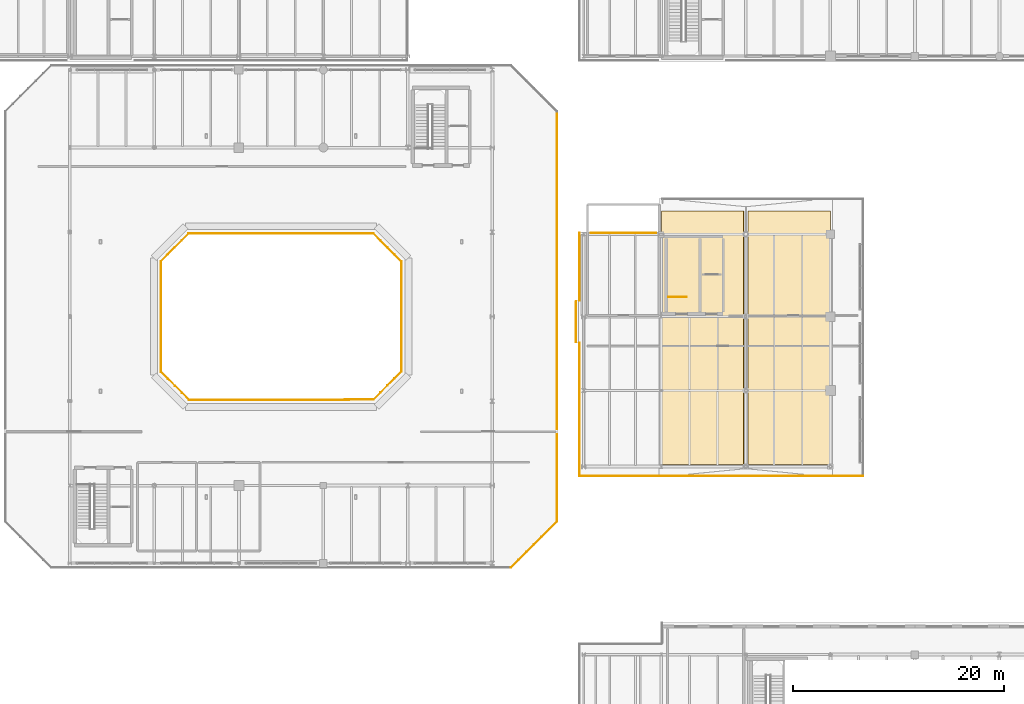
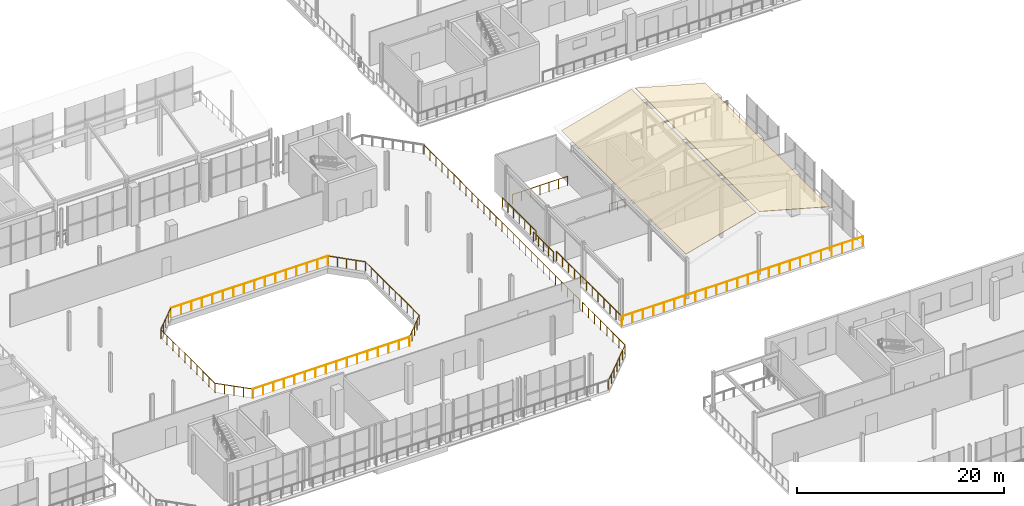
# One storey, part 64 of 70: 17 railings, 2 coverings.
"""IFC4 building model written with IfcOpenShell, lengths in metres."""

from ifc_helpers import new_model, si_unit, direction, frame, origin, origin_2d, place, context, subcontext, project, spatial, polyline, circle, outline, extrude, material, layer, layer_set, type_object, element, save


model = new_model("IFC4")

# Units and contexts
model_context = context("Model", 3, precision=1e-05, world=origin(), true_north=direction((0.0, 1.0)))
body_context = subcontext(model_context, "Body", "Model", "MODEL_VIEW")
ifc_project = project(units=[si_unit("LENGTHUNIT", "METRE"), si_unit("AREAUNIT", "SQUARE_METRE"), si_unit("VOLUMEUNIT", "CUBIC_METRE"), si_unit("PLANEANGLEUNIT", "RADIAN"), si_unit("MASSUNIT", "GRAM", prefix="KILO")], contexts=[model_context])

# Site, building, storey
site_placement = place(None, origin())
site = spatial("IfcSite", under=ifc_project, at=site_placement, CompositionType="ELEMENT")
building_placement = place(site_placement, origin())
building = spatial("IfcBuilding", under=site, at=building_placement, Name="Brisemont Oceanarium", CompositionType="ELEMENT")
storey_placement = place(building_placement, frame((0.0, 0.0, 10.199951171875)))
storey = spatial("IfcBuildingStorey", under=building, at=storey_placement, Name="L02", CompositionType="ELEMENT", Elevation=10.199951171875)

# Coverings
ifc_material_1 = material(Name="Patinated Copper-Zinc Standing-Seam Sheet")
ifc_layer = layer(ifc_material_1, 0.034912109375)
ifc_layer_set = layer_set([ifc_layer], Name="Patinated Copper-Zinc Standing-Seam Sheet")
covering_type = type_object("IfcCoveringType", Name="COV-ROOF-CUZN", PredefinedType="ROOFING", material=ifc_layer_set)
for number, where, z_axis, x_axis, name in (
    (1, (120.0, 42.0, 5.02001953125), (-0.266867445433, 0.0, 0.963733244507), (0.963733244507, 0.0, 0.266867445433), "Patinated copper-zinc standing-seam roofing RFG-R5"),
    (2, (128.199951171875, 42.0, 7.179931640625), (0.266867445433, 0.0, 0.963733244507), (0.963733244507, 0.0, -0.266867445433), "Patinated copper-zinc standing-seam roofing RFG-R6"),
):
    element("IfcCovering", number, at=place(storey_placement, frame(where, z_axis=z_axis, x_axis=x_axis)), inside=storey, type_object=covering_type, Name=name, PredefinedType="ROOFING", context=body_context, shape_type="SweptSolid", body=[
        extrude(outline(polyline([(0.0, 0.0), (8.093576591430946, 0.0), (8.093576591430946, 24.0), (0.0, 24.0), (0.0, 0.0)])), origin(), (0.0, 0.0, -1.0), 0.034912109375),
    ])

# Railings
ifc_material_2 = material(Name="Duplex Stainless Steel EN 1.4462", Category="steel")
railing_type = type_object("IfcRailingType", Name="RLG-GUARD-1120", PredefinedType="GUARDRAIL", material=ifc_material_2)
railing_1_placement = place(storey_placement, frame((120.669921875, 57.860107421875, 0.0)))
element("IfcRailing", 3, at=railing_1_placement, inside=storey, type_object=railing_type, Name="ST-06 L02 landing edge guard", PredefinedType="GUARDRAIL", context=body_context, shape_type="SweptSolid", body=[
    extrude(circle(Radius=0.02392578125, at=origin_2d()), frame((0.0, 0.0, 1.09619140625), z_axis=(1.0, 0.0, 0.0), x_axis=(0.0, 1.0, 0.0)), (0.0, 0.0, 1.0), 1.719970703125),
    extrude(circle(Radius=0.02099609375, at=origin_2d()), origin(), (0.0, 0.0, 1.0), 1.072021484375),
    extrude(circle(Radius=0.02099609375, at=origin_2d()), frame((0.85986328125, 0.0, 0.0)), (0.0, 0.0, 1.0), 1.072021484375),
    extrude(circle(Radius=0.02099609375, at=origin_2d()), frame((1.719970703125, 0.0, 0.0)), (0.0, 0.0, 1.0), 1.072021484375),
])
railing_2_placement = place(storey_placement, frame((111.93994140625, 53.590087890625, 0.0)))
element("IfcRailing", 4, at=railing_2_placement, inside=storey, type_object=railing_type, Name="L02 slab perimeter safety guard 127", PredefinedType="GUARDRAIL", context=body_context, shape_type="SweptSolid", body=[
    extrude(circle(Radius=0.02392578125, at=origin_2d()), frame((0.0, 0.0, 1.09619140625), z_axis=(0.0, 1.0, 0.0), x_axis=(-1.0, 0.0, 0.0)), (0.0, 0.0, 1.0), 3.81982421875),
    extrude(circle(Radius=0.02099609375, at=origin_2d()), origin(), (0.0, 0.0, 1.0), 1.072021484375),
    extrude(circle(Radius=0.02099609375, at=origin_2d()), frame((0.0, 0.955078125, 0.0)), (0.0, 0.0, 1.0), 1.072021484375),
    extrude(circle(Radius=0.02099609375, at=origin_2d()), frame((0.0, 1.909912109375, 0.0)), (0.0, 0.0, 1.0), 1.072021484375),
    extrude(circle(Radius=0.02099609375, at=origin_2d()), frame((0.0, 2.86474609375, 0.0)), (0.0, 0.0, 1.0), 1.072021484375),
    extrude(circle(Radius=0.02099609375, at=origin_2d()), frame((0.0, 3.81982421875, 0.0)), (0.0, 0.0, 1.0), 1.072021484375),
])
railing_3_placement = place(storey_placement, frame((112.239990234375, 57.50390625, 0.0)))
element("IfcRailing", 5, at=railing_3_placement, inside=storey, type_object=railing_type, Name="L02 slab perimeter safety guard 128", PredefinedType="GUARDRAIL", context=body_context, shape_type="SweptSolid", body=[
    extrude(circle(Radius=0.02392578125, at=origin_2d()), frame((0.0, 0.0, 1.09619140625), z_axis=(0.0, 1.0, 0.0), x_axis=(-1.0, 0.0, 0.0)), (0.0, 0.0, 1.0), 6.405517578125),
    extrude(circle(Radius=0.02099609375, at=origin_2d()), origin(), (0.0, 0.0, 1.0), 1.072021484375),
    extrude(circle(Radius=0.02099609375, at=origin_2d()), frame((0.0, 1.067626953125, 0.0)), (0.0, 0.0, 1.0), 1.072021484375),
    extrude(circle(Radius=0.02099609375, at=origin_2d()), frame((0.0, 2.13525390625, 0.0)), (0.0, 0.0, 1.0), 1.072021484375),
    extrude(circle(Radius=0.02099609375, at=origin_2d()), frame((0.0, 3.20263671875, 0.0)), (0.0, 0.0, 1.0), 1.072021484375),
    extrude(circle(Radius=0.02099609375, at=origin_2d()), frame((0.0, 4.270263671875, 0.0)), (0.0, 0.0, 1.0), 1.072021484375),
    extrude(circle(Radius=0.02099609375, at=origin_2d()), frame((0.0, 5.337890625, 0.0)), (0.0, 0.0, 1.0), 1.072021484375),
    extrude(circle(Radius=0.02099609375, at=origin_2d()), frame((0.0, 6.405517578125, 0.0)), (0.0, 0.0, 1.0), 1.072021484375),
])
railing_4_placement = place(storey_placement, frame((113.320068359375, 63.90966796875, 0.0)))
element("IfcRailing", 6, at=railing_4_placement, inside=storey, type_object=railing_type, Name="L02 slab perimeter safety guard 129", PredefinedType="GUARDRAIL", context=body_context, shape_type="SweptSolid", body=[
    extrude(circle(Radius=0.02392578125, at=origin_2d()), frame((0.0, 0.0, 1.09619140625), z_axis=(0.999999999215, 3.9633784e-05, 0.0), x_axis=(-3.9633784e-05, 0.999999999215, 0.0)), (0.0, 0.0, 1.0), 6.159912109375),
    extrude(circle(Radius=0.02099609375, at=origin_2d()), origin(), (0.0, 0.0, 1.0), 1.072021484375),
    extrude(circle(Radius=0.02099609375, at=origin_2d()), frame((1.026611328125, 0.0, 0.0)), (0.0, 0.0, 1.0), 1.072021484375),
    extrude(circle(Radius=0.02099609375, at=origin_2d()), frame((2.05322265625, 0.0, 0.0)), (0.0, 0.0, 1.0), 1.072021484375),
    extrude(circle(Radius=0.02099609375, at=origin_2d()), frame((3.080078125, 0.0, 0.0)), (0.0, 0.0, 1.0), 1.072021484375),
    extrude(circle(Radius=0.02099609375, at=origin_2d()), frame((4.106689453125, 0.000244140625, 0.0)), (0.0, 0.0, 1.0), 1.072021484375),
    extrude(circle(Radius=0.02099609375, at=origin_2d()), frame((5.13330078125, 0.000244140625, 0.0)), (0.0, 0.0, 1.0), 1.072021484375),
    extrude(circle(Radius=0.02099609375, at=origin_2d()), frame((6.159912109375, 0.000244140625, 0.0)), (0.0, 0.0, 1.0), 1.072021484375),
])
railing_5_placement = place(storey_placement, frame((139.110107421875, 40.890380859375, 0.0)))
element("IfcRailing", 7, at=railing_5_placement, inside=storey, type_object=railing_type, Name="L02 slab perimeter safety guard 133", PredefinedType="GUARDRAIL", context=body_context, shape_type="SweptSolid", body=[
    extrude(circle(Radius=0.02392578125, at=origin_2d()), frame((0.0, 0.0, 1.09619140625), z_axis=(-0.999999999835, -1.8172236e-05, 0.0), x_axis=(1.8172236e-05, -0.999999999835, 0.0)), (0.0, 0.0, 1.0), 26.86962890625),
    extrude(circle(Radius=0.02099609375, at=origin_2d()), origin(), (0.0, 0.0, 1.0), 1.072021484375),
    extrude(circle(Radius=0.02099609375, at=origin_2d()), frame((-1.168212890625, 0.0, 0.0)), (0.0, 0.0, 1.0), 1.072021484375),
    extrude(circle(Radius=0.02099609375, at=origin_2d()), frame((-2.33642578125, 0.0, 0.0)), (0.0, 0.0, 1.0), 1.072021484375),
    extrude(circle(Radius=0.02099609375, at=origin_2d()), frame((-3.504638671875, 0.0, 0.0)), (0.0, 0.0, 1.0), 1.072021484375),
    extrude(circle(Radius=0.02099609375, at=origin_2d()), frame((-4.673095703125, 0.0, 0.0)), (0.0, 0.0, 1.0), 1.072021484375),
    extrude(circle(Radius=0.02099609375, at=origin_2d()), frame((-5.84130859375, 0.0, 0.0)), (0.0, 0.0, 1.0), 1.072021484375),
    extrude(circle(Radius=0.02099609375, at=origin_2d()), frame((-7.009521484375, -0.000244140625, 0.0)), (0.0, 0.0, 1.0), 1.072021484375),
    extrude(circle(Radius=0.02099609375, at=origin_2d()), frame((-8.177734375, -0.000244140625, 0.0)), (0.0, 0.0, 1.0), 1.072021484375),
    extrude(circle(Radius=0.02099609375, at=origin_2d()), frame((-9.345947265625, -0.000244140625, 0.0)), (0.0, 0.0, 1.0), 1.072021484375),
    extrude(circle(Radius=0.02099609375, at=origin_2d()), frame((-10.51416015625, -0.000244140625, 0.0)), (0.0, 0.0, 1.0), 1.072021484375),
    extrude(circle(Radius=0.02099609375, at=origin_2d()), frame((-11.682373046875, -0.000244140625, 0.0)), (0.0, 0.0, 1.0), 1.072021484375),
    extrude(circle(Radius=0.02099609375, at=origin_2d()), frame((-12.8505859375, -0.000244140625, 0.0)), (0.0, 0.0, 1.0), 1.072021484375),
    extrude(circle(Radius=0.02099609375, at=origin_2d()), frame((-14.01904296875, -0.000244140625, 0.0)), (0.0, 0.0, 1.0), 1.072021484375),
    extrude(circle(Radius=0.02099609375, at=origin_2d()), frame((-15.187255859375, -0.000244140625, 0.0)), (0.0, 0.0, 1.0), 1.072021484375),
    extrude(circle(Radius=0.02099609375, at=origin_2d()), frame((-16.35546875, -0.000244140625, 0.0)), (0.0, 0.0, 1.0), 1.072021484375),
    extrude(circle(Radius=0.02099609375, at=origin_2d()), frame((-17.523681640625, -0.000244140625, 0.0)), (0.0, 0.0, 1.0), 1.072021484375),
    extrude(circle(Radius=0.02099609375, at=origin_2d()), frame((-18.69189453125, -0.000244140625, 0.0)), (0.0, 0.0, 1.0), 1.072021484375),
    extrude(circle(Radius=0.02099609375, at=origin_2d()), frame((-19.860107421875, -0.000244140625, 0.0)), (0.0, 0.0, 1.0), 1.072021484375),
    extrude(circle(Radius=0.02099609375, at=origin_2d()), frame((-21.0283203125, -0.00048828125, 0.0)), (0.0, 0.0, 1.0), 1.072021484375),
    extrude(circle(Radius=0.02099609375, at=origin_2d()), frame((-22.196533203125, -0.00048828125, 0.0)), (0.0, 0.0, 1.0), 1.072021484375),
    extrude(circle(Radius=0.02099609375, at=origin_2d()), frame((-23.364990234375, -0.00048828125, 0.0)), (0.0, 0.0, 1.0), 1.072021484375),
    extrude(circle(Radius=0.02099609375, at=origin_2d()), frame((-24.533203125, -0.00048828125, 0.0)), (0.0, 0.0, 1.0), 1.072021484375),
    extrude(circle(Radius=0.02099609375, at=origin_2d()), frame((-25.701416015625, -0.00048828125, 0.0)), (0.0, 0.0, 1.0), 1.072021484375),
    extrude(circle(Radius=0.02099609375, at=origin_2d()), frame((-26.86962890625, -0.00048828125, 0.0)), (0.0, 0.0, 1.0), 1.072021484375),
])
railing_6_placement = place(storey_placement, frame((112.240478515625, 40.889892578125, 0.0)))
element("IfcRailing", 8, at=railing_6_placement, inside=storey, type_object=railing_type, Name="L02 slab perimeter safety guard 134", PredefinedType="GUARDRAIL", context=body_context, shape_type="SweptSolid", body=[
    extrude(circle(Radius=0.02392578125, at=origin_2d()), frame((0.0, 0.0, 1.09619140625), z_axis=(-3.8746924e-05, 0.999999999249, 0.0), x_axis=(-0.999999999249, -3.8746924e-05, 0.0)), (0.0, 0.0, 1.0), 12.601806640625),
    extrude(circle(Radius=0.02099609375, at=origin_2d()), origin(), (0.0, 0.0, 1.0), 1.072021484375),
    extrude(circle(Radius=0.02099609375, at=origin_2d()), frame((0.0, 1.1455078125, 0.0)), (0.0, 0.0, 1.0), 1.072021484375),
    extrude(circle(Radius=0.02099609375, at=origin_2d()), frame((0.0, 2.291259765625, 0.0)), (0.0, 0.0, 1.0), 1.072021484375),
    extrude(circle(Radius=0.02099609375, at=origin_2d()), frame((-0.000244140625, 3.436767578125, 0.0)), (0.0, 0.0, 1.0), 1.072021484375),
    extrude(circle(Radius=0.02099609375, at=origin_2d()), frame((-0.000244140625, 4.58251953125, 0.0)), (0.0, 0.0, 1.0), 1.072021484375),
    extrude(circle(Radius=0.02099609375, at=origin_2d()), frame((-0.000244140625, 5.72802734375, 0.0)), (0.0, 0.0, 1.0), 1.072021484375),
    extrude(circle(Radius=0.02099609375, at=origin_2d()), frame((-0.000244140625, 6.873779296875, 0.0)), (0.0, 0.0, 1.0), 1.072021484375),
    extrude(circle(Radius=0.02099609375, at=origin_2d()), frame((-0.000244140625, 8.019287109375, 0.0)), (0.0, 0.0, 1.0), 1.072021484375),
    extrude(circle(Radius=0.02099609375, at=origin_2d()), frame((-0.000244140625, 9.1650390625, 0.0)), (0.0, 0.0, 1.0), 1.072021484375),
    extrude(circle(Radius=0.02099609375, at=origin_2d()), frame((-0.00048828125, 10.310546875, 0.0)), (0.0, 0.0, 1.0), 1.072021484375),
    extrude(circle(Radius=0.02099609375, at=origin_2d()), frame((-0.00048828125, 11.456298828125, 0.0)), (0.0, 0.0, 1.0), 1.072021484375),
    extrude(circle(Radius=0.02099609375, at=origin_2d()), frame((-0.00048828125, 12.601806640625, 0.0)), (0.0, 0.0, 1.0), 1.072021484375),
])
railing_7_placement = place(storey_placement, frame((110.110107421875, 75.41259765625, 0.0)))
element("IfcRailing", 9, at=railing_7_placement, inside=storey, type_object=railing_type, Name="L02 slab perimeter safety guard 140", PredefinedType="GUARDRAIL", context=body_context, shape_type="SweptSolid", body=[
    extrude(circle(Radius=0.02392578125, at=origin_2d()), frame((0.0, 0.0, 1.09619140625), z_axis=(0.0, -1.0, 0.0), x_axis=(1.0, 0.0, 0.0)), (0.0, 0.0, 1.0), 30.05517578125),
    extrude(circle(Radius=0.02099609375, at=origin_2d()), origin(), (0.0, 0.0, 1.0), 1.072021484375),
    extrude(circle(Radius=0.02099609375, at=origin_2d()), frame((0.0, -1.156005859375, 0.0)), (0.0, 0.0, 1.0), 1.072021484375),
    extrude(circle(Radius=0.02099609375, at=origin_2d()), frame((0.0, -2.31201171875, 0.0)), (0.0, 0.0, 1.0), 1.072021484375),
    extrude(circle(Radius=0.02099609375, at=origin_2d()), frame((0.0, -3.468017578125, 0.0)), (0.0, 0.0, 1.0), 1.072021484375),
    extrude(circle(Radius=0.02099609375, at=origin_2d()), frame((0.0, -4.623779296875, 0.0)), (0.0, 0.0, 1.0), 1.072021484375),
    extrude(circle(Radius=0.02099609375, at=origin_2d()), frame((0.0, -5.77978515625, 0.0)), (0.0, 0.0, 1.0), 1.072021484375),
    extrude(circle(Radius=0.02099609375, at=origin_2d()), frame((0.0, -6.935791015625, 0.0)), (0.0, 0.0, 1.0), 1.072021484375),
    extrude(circle(Radius=0.02099609375, at=origin_2d()), frame((0.0, -8.091796875, 0.0)), (0.0, 0.0, 1.0), 1.072021484375),
    extrude(circle(Radius=0.02099609375, at=origin_2d()), frame((0.0, -9.247802734375, 0.0)), (0.0, 0.0, 1.0), 1.072021484375),
    extrude(circle(Radius=0.02099609375, at=origin_2d()), frame((0.0, -10.40380859375, 0.0)), (0.0, 0.0, 1.0), 1.072021484375),
    extrude(circle(Radius=0.02099609375, at=origin_2d()), frame((0.0, -11.5595703125, 0.0)), (0.0, 0.0, 1.0), 1.072021484375),
    extrude(circle(Radius=0.02099609375, at=origin_2d()), frame((0.0, -12.715576171875, 0.0)), (0.0, 0.0, 1.0), 1.072021484375),
    extrude(circle(Radius=0.02099609375, at=origin_2d()), frame((0.0, -13.87158203125, 0.0)), (0.0, 0.0, 1.0), 1.072021484375),
    extrude(circle(Radius=0.02099609375, at=origin_2d()), frame((0.0, -15.027587890625, 0.0)), (0.0, 0.0, 1.0), 1.072021484375),
    extrude(circle(Radius=0.02099609375, at=origin_2d()), frame((0.0, -16.18359375, 0.0)), (0.0, 0.0, 1.0), 1.072021484375),
    extrude(circle(Radius=0.02099609375, at=origin_2d()), frame((0.0, -17.339599609375, 0.0)), (0.0, 0.0, 1.0), 1.072021484375),
    extrude(circle(Radius=0.02099609375, at=origin_2d()), frame((0.0, -18.49560546875, 0.0)), (0.0, 0.0, 1.0), 1.072021484375),
    extrude(circle(Radius=0.02099609375, at=origin_2d()), frame((0.0, -19.6513671875, 0.0)), (0.0, 0.0, 1.0), 1.072021484375),
    extrude(circle(Radius=0.02099609375, at=origin_2d()), frame((0.0, -20.807373046875, 0.0)), (0.0, 0.0, 1.0), 1.072021484375),
    extrude(circle(Radius=0.02099609375, at=origin_2d()), frame((0.0, -21.96337890625, 0.0)), (0.0, 0.0, 1.0), 1.072021484375),
    extrude(circle(Radius=0.02099609375, at=origin_2d()), frame((0.0, -23.119384765625, 0.0)), (0.0, 0.0, 1.0), 1.072021484375),
    extrude(circle(Radius=0.02099609375, at=origin_2d()), frame((0.0, -24.275390625, 0.0)), (0.0, 0.0, 1.0), 1.072021484375),
    extrude(circle(Radius=0.02099609375, at=origin_2d()), frame((0.0, -25.431396484375, 0.0)), (0.0, 0.0, 1.0), 1.072021484375),
    extrude(circle(Radius=0.02099609375, at=origin_2d()), frame((0.0, -26.587158203125, 0.0)), (0.0, 0.0, 1.0), 1.072021484375),
    extrude(circle(Radius=0.02099609375, at=origin_2d()), frame((0.0, -27.7431640625, 0.0)), (0.0, 0.0, 1.0), 1.072021484375),
    extrude(circle(Radius=0.02099609375, at=origin_2d()), frame((0.0, -28.899169921875, 0.0)), (0.0, 0.0, 1.0), 1.072021484375),
    extrude(circle(Radius=0.02099609375, at=origin_2d()), frame((0.0, -30.05517578125, 0.0)), (0.0, 0.0, 1.0), 1.072021484375),
])
railing_8_placement = place(storey_placement, frame((110.110107421875, 44.8427734375, 0.0)))
element("IfcRailing", 10, at=railing_8_placement, inside=storey, type_object=railing_type, Name="L02 slab perimeter safety guard 141", PredefinedType="GUARDRAIL", context=body_context, shape_type="SweptSolid", body=[
    extrude(circle(Radius=0.02392578125, at=origin_2d()), frame((0.0, 0.0, 1.09619140625), z_axis=(0.0, -1.0, 0.0), x_axis=(1.0, 0.0, 0.0)), (0.0, 0.0, 1.0), 8.25537109375),
    extrude(circle(Radius=0.02099609375, at=origin_2d()), origin(), (0.0, 0.0, 1.0), 1.072021484375),
    extrude(circle(Radius=0.02099609375, at=origin_2d()), frame((0.0, -1.179443359375, 0.0)), (0.0, 0.0, 1.0), 1.072021484375),
    extrude(circle(Radius=0.02099609375, at=origin_2d()), frame((0.0, -2.358642578125, 0.0)), (0.0, 0.0, 1.0), 1.072021484375),
    extrude(circle(Radius=0.02099609375, at=origin_2d()), frame((0.0, -3.5380859375, 0.0)), (0.0, 0.0, 1.0), 1.072021484375),
    extrude(circle(Radius=0.02099609375, at=origin_2d()), frame((0.0, -4.71728515625, 0.0)), (0.0, 0.0, 1.0), 1.072021484375),
    extrude(circle(Radius=0.02099609375, at=origin_2d()), frame((0.0, -5.896728515625, 0.0)), (0.0, 0.0, 1.0), 1.072021484375),
    extrude(circle(Radius=0.02099609375, at=origin_2d()), frame((0.0, -7.075927734375, 0.0)), (0.0, 0.0, 1.0), 1.072021484375),
    extrude(circle(Radius=0.02099609375, at=origin_2d()), frame((0.0, -8.25537109375, 0.0)), (0.0, 0.0, 1.0), 1.072021484375),
])
railing_9_placement = place(storey_placement, frame((110.110107421875, 36.58740234375, 0.0)))
element("IfcRailing", 11, at=railing_9_placement, inside=storey, type_object=railing_type, Name="L02 slab perimeter safety guard 142", PredefinedType="GUARDRAIL", context=body_context, shape_type="SweptSolid", body=[
    extrude(circle(Radius=0.02392578125, at=origin_2d()), frame((0.0, 0.0, 1.09619140625), z_axis=(-0.707106781187, -0.707106781187, 0.0), x_axis=(0.707106781187, -0.707106781187, 0.0)), (0.0, 0.0, 1.0), 6.148193359375),
    extrude(circle(Radius=0.02099609375, at=origin_2d()), origin(), (0.0, 0.0, 1.0), 1.072021484375),
    extrude(circle(Radius=0.02099609375, at=origin_2d()), frame((-0.724609375, -0.724609375, 0.0)), (0.0, 0.0, 1.0), 1.072021484375),
    extrude(circle(Radius=0.02099609375, at=origin_2d()), frame((-1.44921875, -1.44921875, 0.0)), (0.0, 0.0, 1.0), 1.072021484375),
    extrude(circle(Radius=0.02099609375, at=origin_2d()), frame((-2.173828125, -2.173828125, 0.0)), (0.0, 0.0, 1.0), 1.072021484375),
    extrude(circle(Radius=0.02099609375, at=origin_2d()), frame((-2.898193359375, -2.898193359375, 0.0)), (0.0, 0.0, 1.0), 1.072021484375),
    extrude(circle(Radius=0.02099609375, at=origin_2d()), frame((-3.622802734375, -3.622802734375, 0.0)), (0.0, 0.0, 1.0), 1.072021484375),
    extrude(circle(Radius=0.02099609375, at=origin_2d()), frame((-4.347412109375, -4.347412109375, 0.0)), (0.0, 0.0, 1.0), 1.072021484375),
])
railing_10_placement = place(storey_placement, frame((92.76953125, 63.85791015625, 0.0)))
element("IfcRailing", 12, at=railing_10_placement, inside=storey, type_object=railing_type, Name="L02 slab perimeter safety guard 145", PredefinedType="GUARDRAIL", context=body_context, shape_type="SweptSolid", body=[
    extrude(circle(Radius=0.02392578125, at=origin_2d()), frame((0.0, 0.0, 1.09619140625), z_axis=(-0.99999958972, 0.000905847223, 0.0), x_axis=(-0.000905847223, -0.99999958972, 0.0)), (0.0, 0.0, 1.0), 17.5185546875),
    extrude(circle(Radius=0.02099609375, at=origin_2d()), origin(), (0.0, 0.0, 1.0), 1.072021484375),
    extrude(circle(Radius=0.02099609375, at=origin_2d()), frame((-1.16796875, 0.0009765625, 0.0)), (0.0, 0.0, 1.0), 1.072021484375),
    extrude(circle(Radius=0.02099609375, at=origin_2d()), frame((-2.335693359375, 0.002197265625, 0.0)), (0.0, 0.0, 1.0), 1.072021484375),
    extrude(circle(Radius=0.02099609375, at=origin_2d()), frame((-3.503662109375, 0.003173828125, 0.0)), (0.0, 0.0, 1.0), 1.072021484375),
    extrude(circle(Radius=0.02099609375, at=origin_2d()), frame((-4.671630859375, 0.004150390625, 0.0)), (0.0, 0.0, 1.0), 1.072021484375),
    extrude(circle(Radius=0.02099609375, at=origin_2d()), frame((-5.839599609375, 0.00537109375, 0.0)), (0.0, 0.0, 1.0), 1.072021484375),
    extrude(circle(Radius=0.02099609375, at=origin_2d()), frame((-7.00732421875, 0.00634765625, 0.0)), (0.0, 0.0, 1.0), 1.072021484375),
    extrude(circle(Radius=0.02099609375, at=origin_2d()), frame((-8.17529296875, 0.00732421875, 0.0)), (0.0, 0.0, 1.0), 1.072021484375),
    extrude(circle(Radius=0.02099609375, at=origin_2d()), frame((-9.34326171875, 0.008544921875, 0.0)), (0.0, 0.0, 1.0), 1.072021484375),
    extrude(circle(Radius=0.02099609375, at=origin_2d()), frame((-10.51123046875, 0.009521484375, 0.0)), (0.0, 0.0, 1.0), 1.072021484375),
    extrude(circle(Radius=0.02099609375, at=origin_2d()), frame((-11.678955078125, 0.010498046875, 0.0)), (0.0, 0.0, 1.0), 1.072021484375),
    extrude(circle(Radius=0.02099609375, at=origin_2d()), frame((-12.846923828125, 0.01171875, 0.0)), (0.0, 0.0, 1.0), 1.072021484375),
    extrude(circle(Radius=0.02099609375, at=origin_2d()), frame((-14.014892578125, 0.0126953125, 0.0)), (0.0, 0.0, 1.0), 1.072021484375),
    extrude(circle(Radius=0.02099609375, at=origin_2d()), frame((-15.182861328125, 0.013671875, 0.0)), (0.0, 0.0, 1.0), 1.072021484375),
    extrude(circle(Radius=0.02099609375, at=origin_2d()), frame((-16.3505859375, 0.014892578125, 0.0)), (0.0, 0.0, 1.0), 1.072021484375),
    extrude(circle(Radius=0.02099609375, at=origin_2d()), frame((-17.5185546875, 0.015869140625, 0.0)), (0.0, 0.0, 1.0), 1.072021484375),
])
railing_11_placement = place(storey_placement, frame((75.2509765625, 63.873779296875, 0.0)))
element("IfcRailing", 13, at=railing_11_placement, inside=storey, type_object=railing_type, Name="L02 slab perimeter safety guard 146", PredefinedType="GUARDRAIL", context=body_context, shape_type="SweptSolid", body=[
    extrude(circle(Radius=0.02392578125, at=origin_2d()), frame((0.0, 0.0, 1.09619140625), z_axis=(-0.704656958688, -0.709548145352, 0.0), x_axis=(0.709548145352, -0.704656958688, 0.0)), (0.0, 0.0, 1.0), 3.74365234375),
    extrude(circle(Radius=0.02099609375, at=origin_2d()), origin(), (0.0, 0.0, 1.0), 1.072021484375),
    extrude(circle(Radius=0.02099609375, at=origin_2d()), frame((-0.659423828125, -0.6640625, 0.0)), (0.0, 0.0, 1.0), 1.072021484375),
    extrude(circle(Radius=0.02099609375, at=origin_2d()), frame((-1.31884765625, -1.328125, 0.0)), (0.0, 0.0, 1.0), 1.072021484375),
    extrude(circle(Radius=0.02099609375, at=origin_2d()), frame((-1.978515625, -1.9921875, 0.0)), (0.0, 0.0, 1.0), 1.072021484375),
    extrude(circle(Radius=0.02099609375, at=origin_2d()), frame((-2.637939453125, -2.65625, 0.0)), (0.0, 0.0, 1.0), 1.072021484375),
])
railing_12_placement = place(storey_placement, frame((72.613037109375, 61.217529296875, 0.0)))
element("IfcRailing", 14, at=railing_12_placement, inside=storey, type_object=railing_type, Name="L02 slab perimeter safety guard 147", PredefinedType="GUARDRAIL", context=body_context, shape_type="SweptSolid", body=[
    extrude(circle(Radius=0.02392578125, at=origin_2d()), frame((0.0, 0.0, 1.09619140625), z_axis=(0.001259591732, -0.999999206714, 0.0), x_axis=(0.999999206714, 0.001259591732, 0.0)), (0.0, 0.0, 1.0), 10.466552734375),
    extrude(circle(Radius=0.02099609375, at=origin_2d()), origin(), (0.0, 0.0, 1.0), 1.072021484375),
    extrude(circle(Radius=0.02099609375, at=origin_2d()), frame((0.00146484375, -1.162841796875, 0.0)), (0.0, 0.0, 1.0), 1.072021484375),
    extrude(circle(Radius=0.02099609375, at=origin_2d()), frame((0.0029296875, -2.325927734375, 0.0)), (0.0, 0.0, 1.0), 1.072021484375),
    extrude(circle(Radius=0.02099609375, at=origin_2d()), frame((0.00439453125, -3.48876953125, 0.0)), (0.0, 0.0, 1.0), 1.072021484375),
    extrude(circle(Radius=0.02099609375, at=origin_2d()), frame((0.005859375, -4.65185546875, 0.0)), (0.0, 0.0, 1.0), 1.072021484375),
    extrude(circle(Radius=0.02099609375, at=origin_2d()), frame((0.00732421875, -5.814697265625, 0.0)), (0.0, 0.0, 1.0), 1.072021484375),
    extrude(circle(Radius=0.02099609375, at=origin_2d()), frame((0.0087890625, -6.977783203125, 0.0)), (0.0, 0.0, 1.0), 1.072021484375),
    extrude(circle(Radius=0.02099609375, at=origin_2d()), frame((0.01025390625, -8.140625, 0.0)), (0.0, 0.0, 1.0), 1.072021484375),
    extrude(circle(Radius=0.02099609375, at=origin_2d()), frame((0.01171875, -9.3037109375, 0.0)), (0.0, 0.0, 1.0), 1.072021484375),
    extrude(circle(Radius=0.02099609375, at=origin_2d()), frame((0.01318359375, -10.466552734375, 0.0)), (0.0, 0.0, 1.0), 1.072021484375),
])
railing_13_placement = place(storey_placement, frame((72.626220703125, 50.7509765625, 0.0)))
element("IfcRailing", 15, at=railing_13_placement, inside=storey, type_object=railing_type, Name="L02 slab perimeter safety guard 148", PredefinedType="GUARDRAIL", context=body_context, shape_type="SweptSolid", body=[
    extrude(circle(Radius=0.02392578125, at=origin_2d()), frame((0.0, 0.0, 1.09619140625), z_axis=(0.710708355995, -0.703486767977, 0.0), x_axis=(0.703486767977, 0.710708355995, 0.0)), (0.0, 0.0, 1.0), 3.752685546875),
    extrude(circle(Radius=0.02099609375, at=origin_2d()), origin(), (0.0, 0.0, 1.0), 1.072021484375),
    extrude(circle(Radius=0.02099609375, at=origin_2d()), frame((0.666748046875, -0.659912109375, 0.0)), (0.0, 0.0, 1.0), 1.072021484375),
    extrude(circle(Radius=0.02099609375, at=origin_2d()), frame((1.33349609375, -1.31982421875, 0.0)), (0.0, 0.0, 1.0), 1.072021484375),
    extrude(circle(Radius=0.02099609375, at=origin_2d()), frame((2.000244140625, -1.97998046875, 0.0)), (0.0, 0.0, 1.0), 1.072021484375),
    extrude(circle(Radius=0.02099609375, at=origin_2d()), frame((2.6669921875, -2.639892578125, 0.0)), (0.0, 0.0, 1.0), 1.072021484375),
])
railing_14_placement = place(storey_placement, frame((75.293212890625, 48.111083984375, 0.0)))
element("IfcRailing", 16, at=railing_14_placement, inside=storey, type_object=railing_type, Name="L02 slab perimeter safety guard 149", PredefinedType="GUARDRAIL", context=body_context, shape_type="SweptSolid", body=[
    extrude(circle(Radius=0.02392578125, at=origin_2d()), frame((0.0, 0.0, 1.09619140625), z_axis=(0.99999962403, 0.000867144669, 0.0), x_axis=(-0.000867144669, 0.99999962403, 0.0)), (0.0, 0.0, 1.0), 17.455810546875),
    extrude(circle(Radius=0.02099609375, at=origin_2d()), origin(), (0.0, 0.0, 1.0), 1.072021484375),
    extrude(circle(Radius=0.02099609375, at=origin_2d()), frame((1.163818359375, 0.0009765625, 0.0)), (0.0, 0.0, 1.0), 1.072021484375),
    extrude(circle(Radius=0.02099609375, at=origin_2d()), frame((2.327392578125, 0.001953125, 0.0)), (0.0, 0.0, 1.0), 1.072021484375),
    extrude(circle(Radius=0.02099609375, at=origin_2d()), frame((3.4912109375, 0.0029296875, 0.0)), (0.0, 0.0, 1.0), 1.072021484375),
    extrude(circle(Radius=0.02099609375, at=origin_2d()), frame((4.65478515625, 0.004150390625, 0.0)), (0.0, 0.0, 1.0), 1.072021484375),
    extrude(circle(Radius=0.02099609375, at=origin_2d()), frame((5.818603515625, 0.005126953125, 0.0)), (0.0, 0.0, 1.0), 1.072021484375),
    extrude(circle(Radius=0.02099609375, at=origin_2d()), frame((6.982421875, 0.006103515625, 0.0)), (0.0, 0.0, 1.0), 1.072021484375),
    extrude(circle(Radius=0.02099609375, at=origin_2d()), frame((8.14599609375, 0.007080078125, 0.0)), (0.0, 0.0, 1.0), 1.072021484375),
    extrude(circle(Radius=0.02099609375, at=origin_2d()), frame((9.309814453125, 0.008056640625, 0.0)), (0.0, 0.0, 1.0), 1.072021484375),
    extrude(circle(Radius=0.02099609375, at=origin_2d()), frame((10.473388671875, 0.009033203125, 0.0)), (0.0, 0.0, 1.0), 1.072021484375),
    extrude(circle(Radius=0.02099609375, at=origin_2d()), frame((11.63720703125, 0.010009765625, 0.0)), (0.0, 0.0, 1.0), 1.072021484375),
    extrude(circle(Radius=0.02099609375, at=origin_2d()), frame((12.801025390625, 0.010986328125, 0.0)), (0.0, 0.0, 1.0), 1.072021484375),
    extrude(circle(Radius=0.02099609375, at=origin_2d()), frame((13.964599609375, 0.01220703125, 0.0)), (0.0, 0.0, 1.0), 1.072021484375),
    extrude(circle(Radius=0.02099609375, at=origin_2d()), frame((15.12841796875, 0.01318359375, 0.0)), (0.0, 0.0, 1.0), 1.072021484375),
    extrude(circle(Radius=0.02099609375, at=origin_2d()), frame((16.2919921875, 0.01416015625, 0.0)), (0.0, 0.0, 1.0), 1.072021484375),
    extrude(circle(Radius=0.02099609375, at=origin_2d()), frame((17.455810546875, 0.01513671875, 0.0)), (0.0, 0.0, 1.0), 1.072021484375),
])
railing_15_placement = place(storey_placement, frame((92.7490234375, 48.126220703125, 0.0)))
element("IfcRailing", 17, at=railing_15_placement, inside=storey, type_object=railing_type, Name="L02 slab perimeter safety guard 150", PredefinedType="GUARDRAIL", context=body_context, shape_type="SweptSolid", body=[
    extrude(circle(Radius=0.02392578125, at=origin_2d()), frame((0.0, 0.0, 1.09619140625), z_axis=(0.701604759663, 0.712566320575, 0.0), x_axis=(-0.712566320575, 0.701604759663, 0.0)), (0.0, 0.0, 1.0), 3.76416015625),
    extrude(circle(Radius=0.02099609375, at=origin_2d()), origin(), (0.0, 0.0, 1.0), 1.072021484375),
    extrude(circle(Radius=0.02099609375, at=origin_2d()), frame((0.66015625, 0.67041015625, 0.0)), (0.0, 0.0, 1.0), 1.072021484375),
    extrude(circle(Radius=0.02099609375, at=origin_2d()), frame((1.3203125, 1.341064453125, 0.0)), (0.0, 0.0, 1.0), 1.072021484375),
    extrude(circle(Radius=0.02099609375, at=origin_2d()), frame((1.980712890625, 2.01171875, 0.0)), (0.0, 0.0, 1.0), 1.072021484375),
    extrude(circle(Radius=0.02099609375, at=origin_2d()), frame((2.640869140625, 2.68212890625, 0.0)), (0.0, 0.0, 1.0), 1.072021484375),
])
railing_16_placement = place(storey_placement, frame((95.389892578125, 50.808349609375, 0.0)))
element("IfcRailing", 18, at=railing_16_placement, inside=storey, type_object=railing_type, Name="L02 slab perimeter safety guard 151", PredefinedType="GUARDRAIL", context=body_context, shape_type="SweptSolid", body=[
    extrude(circle(Radius=0.02392578125, at=origin_2d()), frame((0.0, 0.0, 1.09619140625), z_axis=(-0.000281452283, 0.999999960392, 0.0), x_axis=(-0.999999960392, -0.000281452283, 0.0)), (0.0, 0.0, 1.0), 10.4091796875),
    extrude(circle(Radius=0.02099609375, at=origin_2d()), origin(), (0.0, 0.0, 1.0), 1.072021484375),
    extrude(circle(Radius=0.02099609375, at=origin_2d()), frame((-0.000244140625, 1.156494140625, 0.0)), (0.0, 0.0, 1.0), 1.072021484375),
    extrude(circle(Radius=0.02099609375, at=origin_2d()), frame((-0.000732421875, 2.313232421875, 0.0)), (0.0, 0.0, 1.0), 1.072021484375),
    extrude(circle(Radius=0.02099609375, at=origin_2d()), frame((-0.0009765625, 3.4697265625, 0.0)), (0.0, 0.0, 1.0), 1.072021484375),
    extrude(circle(Radius=0.02099609375, at=origin_2d()), frame((-0.001220703125, 4.626220703125, 0.0)), (0.0, 0.0, 1.0), 1.072021484375),
    extrude(circle(Radius=0.02099609375, at=origin_2d()), frame((-0.001708984375, 5.782958984375, 0.0)), (0.0, 0.0, 1.0), 1.072021484375),
    extrude(circle(Radius=0.02099609375, at=origin_2d()), frame((-0.001953125, 6.939453125, 0.0)), (0.0, 0.0, 1.0), 1.072021484375),
    extrude(circle(Radius=0.02099609375, at=origin_2d()), frame((-0.002197265625, 8.095947265625, 0.0)), (0.0, 0.0, 1.0), 1.072021484375),
    extrude(circle(Radius=0.02099609375, at=origin_2d()), frame((-0.002685546875, 9.252685546875, 0.0)), (0.0, 0.0, 1.0), 1.072021484375),
    extrude(circle(Radius=0.02099609375, at=origin_2d()), frame((-0.0029296875, 10.4091796875, 0.0)), (0.0, 0.0, 1.0), 1.072021484375),
])
railing_17_placement = place(storey_placement, frame((95.386962890625, 61.217529296875, 0.0)))
element("IfcRailing", 19, at=railing_17_placement, inside=storey, type_object=railing_type, Name="L02 slab perimeter safety guard 152", PredefinedType="GUARDRAIL", context=body_context, shape_type="SweptSolid", body=[
    extrude(circle(Radius=0.02392578125, at=origin_2d()), frame((0.0, 0.0, 1.09619140625), z_axis=(-0.704013706263, 0.710186384968, 0.0), x_axis=(-0.710186384968, -0.704013706263, 0.0)), (0.0, 0.0, 1.0), 3.7177734375),
    extrude(circle(Radius=0.02099609375, at=origin_2d()), origin(), (0.0, 0.0, 1.0), 1.072021484375),
    extrude(circle(Radius=0.02099609375, at=origin_2d()), frame((-0.654296875, 0.66015625, 0.0)), (0.0, 0.0, 1.0), 1.072021484375),
    extrude(circle(Radius=0.02099609375, at=origin_2d()), frame((-1.30859375, 1.3203125, 0.0)), (0.0, 0.0, 1.0), 1.072021484375),
    extrude(circle(Radius=0.02099609375, at=origin_2d()), frame((-1.963134765625, 1.980224609375, 0.0)), (0.0, 0.0, 1.0), 1.072021484375),
    extrude(circle(Radius=0.02099609375, at=origin_2d()), frame((-2.617431640625, 2.640380859375, 0.0)), (0.0, 0.0, 1.0), 1.072021484375),
])

save(model, "model.ifc")
